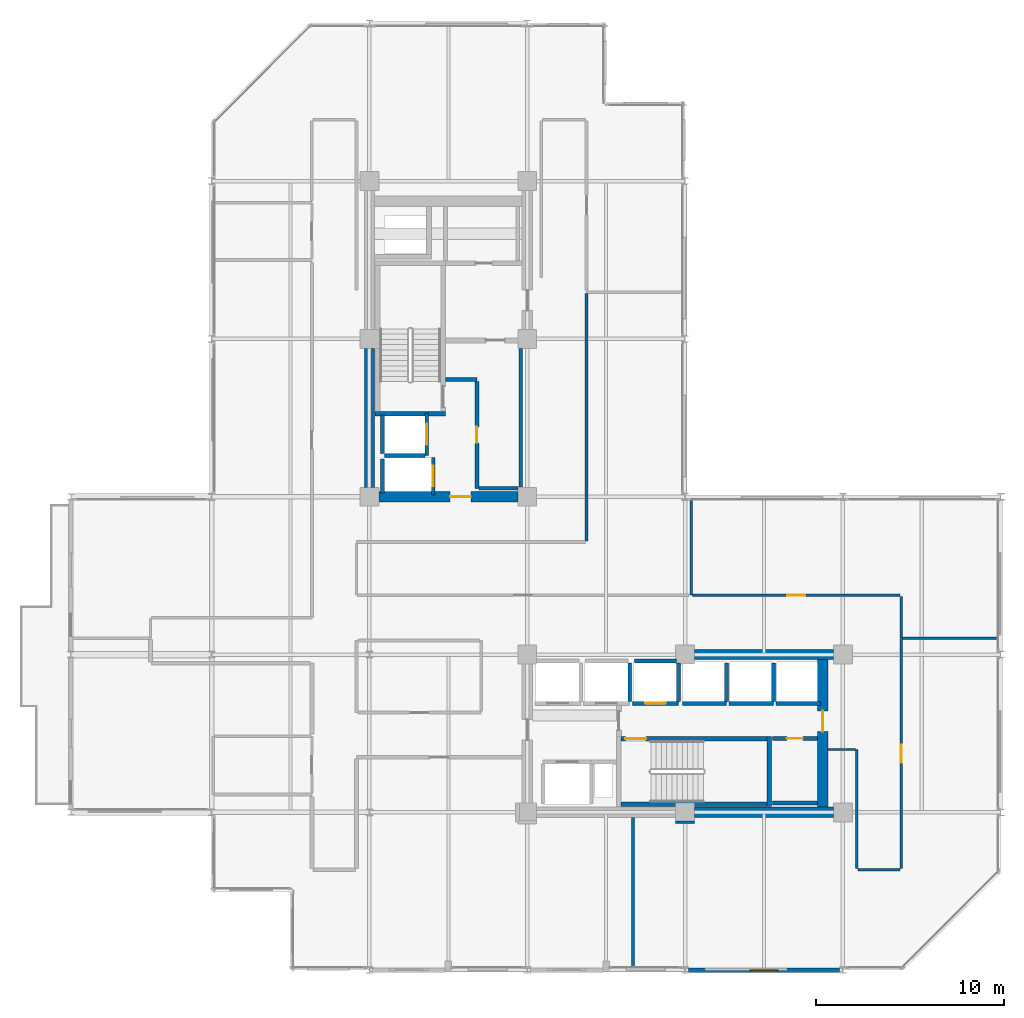
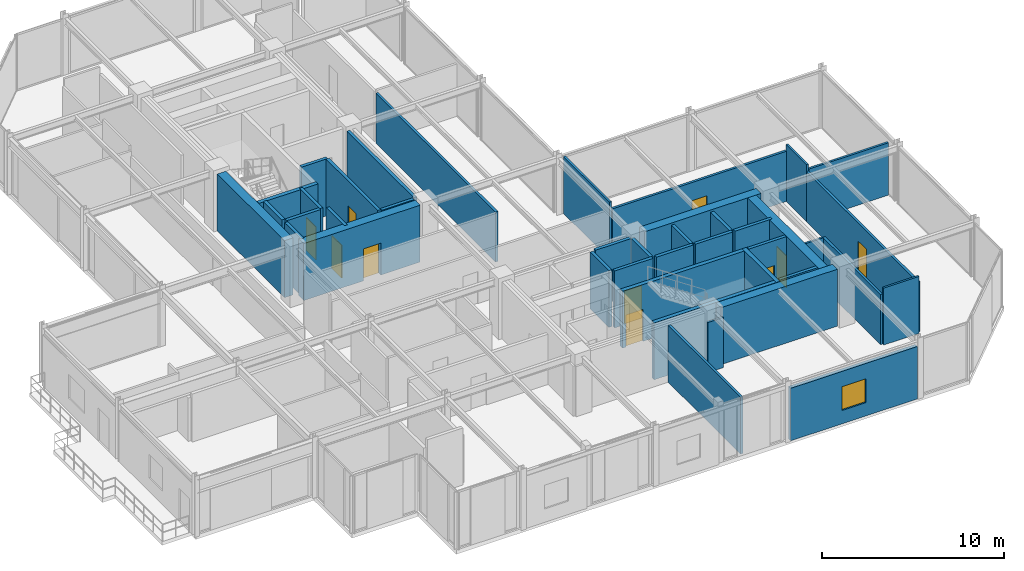
# One storey, part 25 of 29: 41 walls, 10 doors, 1 window, 11 openings.
"""IFC4 building model written with IfcOpenShell, lengths in metres."""

import ifcopenshell
import ifcopenshell.guid

model = None  # the IFC model being written
_history = None  # IfcOwnerHistory: only IFC2X3 demands one
_inside = {}  # id of a spatial element -> (the spatial element, [elements in it])
_under = {}  # id of a project, library or spatial element -> (it, [spatial elements below it])
_declared = {}  # id of a project -> (the project, [libraries it declares])
_typed = {}  # id of a type object -> (the type object, [elements of that type])
_made_of = {}  # id of a material, layer set ... -> (it, [elements and type objects made of it])


def new_model(schema):
    """Start an empty IFC model of exactly this schema.

    Asked for "IFC4X3", IfcOpenShell would pick the latest addendum, in which some entities
    have other attributes; the version numbers below select the first issue.
    IFC2X3 requires an IfcOwnerHistory on every rooted entity: one is made here for all.
    """
    global model, _history
    if schema == "IFC4X3":
        model = ifcopenshell.file(schema_version=(4, 3, 0, 0))
    else:
        model = ifcopenshell.file(schema=schema)
    _inside.clear()
    _under.clear()
    _declared.clear()
    _typed.clear()
    _made_of.clear()
    _history = None
    if model.schema == "IFC2X3":
        org = make("IfcOrganization", Name="unknown")
        user = make(
            "IfcPersonAndOrganization",
            ThePerson=make("IfcPerson", FamilyName="unknown"),
            TheOrganization=org,
        )
        app = make(
            "IfcApplication",
            ApplicationDeveloper=org,
            Version="unknown",
            ApplicationFullName="unknown",
            ApplicationIdentifier="unknown",
        )
        _history = make(
            "IfcOwnerHistory",
            OwningUser=user,
            OwningApplication=app,
            ChangeAction="ADDED",
            CreationDate=0,
        )
    return model


def make(cls, **values):
    """One entity of the class cls with the attributes given. An attribute that is None is left unset."""
    return model.create_entity(
        cls, **{name: value for name, value in values.items() if value is not None}
    )


def rooted(cls, **values):
    """An entity with a GlobalId (a new one), such as an element, a storey or a relation."""
    return make(cls, GlobalId=ifcopenshell.guid.new(), OwnerHistory=_history, **values)


def si_unit(unit_type, name, prefix=None):
    """IfcSIUnit, for example si_unit("LENGTHUNIT", "METRE", prefix="MILLI")."""
    return make("IfcSIUnit", UnitType=unit_type, Prefix=prefix, Name=name)


def assignment(units):
    """IfcUnitAssignment: the units of a project."""
    return None if units is None else make("IfcUnitAssignment", Units=units)


def point(xyz):
    """IfcCartesianPoint."""
    return None if xyz is None else make("IfcCartesianPoint", Coordinates=xyz)


def direction(xyz):
    """IfcDirection."""
    return None if xyz is None else make("IfcDirection", DirectionRatios=xyz)


def frame(location, z_axis=None, x_axis=None):
    """IfcAxis2Placement3D, a coordinate frame: its origin and axes. An axis left out is left unset."""
    return make(
        "IfcAxis2Placement3D",
        Location=point(location),
        Axis=direction(z_axis),
        RefDirection=direction(x_axis),
    )


def frame_2d(location, x_axis=None):
    """IfcAxis2Placement2D, a coordinate frame in the plane: its origin and x axis."""
    return make(
        "IfcAxis2Placement2D", Location=point(location), RefDirection=direction(x_axis)
    )


def origin():
    """The frame at (0, 0, 0) with its axes left unset."""
    return frame((0.0, 0.0, 0.0))


def place(relative_to, where):
    """IfcLocalPlacement: puts the frame where relative to a parent placement (None: the world)."""
    return make(
        "IfcLocalPlacement", PlacementRelTo=relative_to, RelativePlacement=where
    )


def context(
    kind, dimensions, precision=None, world=None, true_north=None, identifier=None
):
    """IfcGeometricRepresentationContext, for example the 3D "Model" context."""
    return make(
        "IfcGeometricRepresentationContext",
        ContextIdentifier=identifier,
        ContextType=kind,
        CoordinateSpaceDimension=dimensions,
        Precision=precision,
        WorldCoordinateSystem=world,
        TrueNorth=true_north,
    )


def subcontext(parent, identifier, kind, view, scale=None):
    """IfcGeometricRepresentationSubContext, for example "Body" below "Model"."""
    return make(
        "IfcGeometricRepresentationSubContext",
        ContextIdentifier=identifier,
        ContextType=kind,
        ParentContext=parent,
        TargetScale=scale,
        TargetView=view,
    )


def project(units=None, contexts=None):
    """IfcProject with its units and contexts."""
    return rooted(
        "IfcProject",
        Name="project",
        RepresentationContexts=contexts,
        UnitsInContext=assignment(units),
    )


def spatial(cls, under=None, at=None, **own):
    """A site, building, storey or space (cls), placed at a placement, below another one or the project."""
    s = rooted(cls, ObjectPlacement=at, **own)
    if under is not None:
        _under.setdefault(under.id(), (under, []))[1].append(s)
    return s


def profile(cls, at=None, kind="AREA", **sizes):
    """A parametric profile (cls). Its sizes go by their IFC names, for example OverallWidth=200.0."""
    return make(cls, ProfileType=kind, Position=at, **sizes)


def rectangle(**sizes):
    """IfcRectangleProfileDef."""
    return profile("IfcRectangleProfileDef", **sizes)


def extrude(swept, where, along, depth):
    """IfcExtrudedAreaSolid: the profile swept, set in the frame where, extruded along a direction by depth."""
    return make(
        "IfcExtrudedAreaSolid",
        SweptArea=swept,
        Position=where,
        ExtrudedDirection=direction(along),
        Depth=depth,
    )


def shape(context_of_items, identifier, shape_type, items):
    """IfcShapeRepresentation: the items that make up one representation, for example the "Body"."""
    return make(
        "IfcShapeRepresentation",
        ContextOfItems=context_of_items,
        RepresentationIdentifier=identifier,
        RepresentationType=shape_type,
        Items=items,
    )


def material(Name=None, Category=None):
    """IfcMaterial."""
    return make("IfcMaterial", Name=Name, Category=Category)


def layer(
    of_material, thickness, ventilated=None, Name=None, Category=None, Priority=None
):
    """IfcMaterialLayer: one layer of a wall or slab, of a material (None: an air gap)."""
    return make(
        "IfcMaterialLayer",
        Material=of_material,
        LayerThickness=thickness,
        IsVentilated=ventilated,
        Name=Name,
        Category=Category,
        Priority=Priority,
    )


def layer_set(layers, Name=None):
    """IfcMaterialLayerSet."""
    return make("IfcMaterialLayerSet", MaterialLayers=layers, LayerSetName=Name)


def made_of(thing, what):
    """Note that an element or type object is made of a material, layer set ...; save() writes the relation."""
    if what is not None:
        _made_of.setdefault(what.id(), (what, []))[1].append(thing)
    return thing


def type_object(cls, material=None, **own):
    """A type object (cls), such as IfcWallType, which elements share."""
    return made_of(rooted(cls, **own), material)


def element(
    cls,
    number,
    at=None,
    inside=None,
    cuts=None,
    type_object=None,
    material=None,
    context=None,
    identifier="Body",
    shape_type=None,
    held_by="IfcProductDefinitionShape",
    body=None,
    shapes=None,
    **own,
):
    """One element of the class cls, such as IfcWall. Its Tag is "e" and its number.

    at: its placement. inside: the storey or other place that contains it. cuts: it is an
    opening in that element (IfcRelVoidsElement). A single representation is given by context,
    identifier, shape_type and body (its items); several are given by shapes. held_by: the class
    of the entity that holds the representations. save() writes the other relations.
    """
    e = rooted(cls, Tag="e%d" % number, ObjectPlacement=at, **own)
    if body is not None:
        shapes = [shape(context, identifier, shape_type, body)]
    if shapes is not None:
        e.Representation = make(held_by, Representations=shapes)
    if inside is not None:
        _inside.setdefault(inside.id(), (inside, []))[1].append(e)
    if cuts is not None:
        rooted(
            "IfcRelVoidsElement", RelatingBuildingElement=cuts, RelatedOpeningElement=e
        )
    if type_object is not None:
        _typed.setdefault(type_object.id(), (type_object, []))[1].append(e)
    return made_of(e, material)


def fill(opening, filler):
    """IfcRelFillsElement: the door or window that sits in an opening."""
    return rooted(
        "IfcRelFillsElement",
        RelatingOpeningElement=opening,
        RelatedBuildingElement=filler,
    )


def aggregate(whole, parts):
    """IfcRelAggregates: a whole, such as a stair, and the parts it consists of."""
    return rooted("IfcRelAggregates", RelatingObject=whole, RelatedObjects=parts)


def save(model, path):
    """Write the relations noted so far, then the file.

    IfcRelAggregates (storeys below a building ...), IfcRelContainedInSpatialStructure (elements
    in a storey), IfcRelDefinesByType, IfcRelAssociatesMaterial and IfcRelDeclares: one each for
    every whole, place, type object, material and project.
    """
    for whole, parts in _under.values():
        aggregate(whole, parts)
    for where, things in _inside.values():
        rooted(
            "IfcRelContainedInSpatialStructure",
            RelatedElements=things,
            RelatingStructure=where,
        )
    for kind, things in _typed.values():
        rooted("IfcRelDefinesByType", RelatedObjects=things, RelatingType=kind)
    for what, things in _made_of.values():
        rooted("IfcRelAssociatesMaterial", RelatedObjects=things, RelatingMaterial=what)
    for by, libraries in _declared.values():
        rooted("IfcRelDeclares", RelatingContext=by, RelatedDefinitions=libraries)
    model.write(path)


model = new_model("IFC4")

# Units and contexts
model_context = context("Model", 3, precision=1e-05, world=origin(), true_north=direction((0.0, 1.0)))
body_context = subcontext(model_context, "Body", "Model", "MODEL_VIEW")
ifc_project = project(units=[si_unit("LENGTHUNIT", "METRE"), si_unit("AREAUNIT", "SQUARE_METRE"), si_unit("VOLUMEUNIT", "CUBIC_METRE"), si_unit("PLANEANGLEUNIT", "RADIAN"), si_unit("MASSUNIT", "GRAM", prefix="KILO")], contexts=[model_context])

# Site, building, storey
site_placement = place(None, origin())
site = spatial("IfcSite", under=ifc_project, at=site_placement, CompositionType="ELEMENT")
building_placement = place(site_placement, origin())
building = spatial("IfcBuilding", under=site, at=building_placement, Name="Nerrivon Quay Data Exchange", CompositionType="ELEMENT")
storey_placement = place(building_placement, frame((0.0, 0.0, 196.0)))
storey = spatial("IfcBuildingStorey", under=building, at=storey_placement, Name="L46", CompositionType="ELEMENT", Elevation=196.0)

# Wall, opening, window
ifc_material_1 = material(Name="Architectural terracotta precast concrete N50 (50 MPa)", Category="masonry")
ifc_layer_1 = layer(ifc_material_1, 0.239990234375)
ifc_layer_set_1 = layer_set([ifc_layer_1], Name="Architectural terracotta precast concrete N50 (50 MPa)")
wall_type_1 = type_object("IfcWallType", Name="EW-PREC-240", PredefinedType="STANDARD", material=ifc_layer_set_1)
wall_1_placement = place(storey_placement, frame((33.425048828125, 0.0, 0.0), z_axis=(0.0, 0.0, 1.0), x_axis=(-1.0, 0.0, 0.0)))
wall_1 = element("IfcWall", 1, at=wall_1_placement, inside=storey, type_object=wall_type_1, Name="L46 Podium Precast Spandrel Wall 23", PredefinedType="STANDARD", context=body_context, shape_type="SweptSolid", body=[
    extrude(rectangle(XDim=8.050048828125, YDim=0.239990234375, at=frame_2d((4.02490234375, 0.0))), origin(), (0.0, 0.0, 1.0), 3.52490234375),
])
opening_1_placement = place(wall_1_placement, frame((3.27490234375, 0.0, 0.89990234375)))
opening_1 = element("IfcOpeningElement", 2, at=opening_1_placement, cuts=wall_1, Name="Opening WN4", PredefinedType="OPENING", context=body_context, shape_type="SweptSolid", body=[
    extrude(rectangle(XDim=1.5, YDim=1.60009765625, at=frame_2d((0.75, 0.800048828125))), frame((0.0, 0.1298828125, 0.0), z_axis=(0.0, -1.0, 0.0), x_axis=(1.0, 0.0, 0.0)), (0.0, 0.0, 1.0), 0.260009765625),
])
ifc_material_2 = material(Name="Double-glazed low-E solar control glass", Category="glass")
window_type = type_object("IfcWindowType", Name="WIN-W4-1500x1600", PartitioningType="SINGLE_PANEL", PredefinedType="WINDOW", material=ifc_material_2)
window_placement = place(opening_1_placement, origin())
window = element("IfcWindow", 3, at=window_placement, inside=storey, type_object=window_type, Name="L46 Solar Facade Window 23", OverallHeight=1.60009765625, OverallWidth=1.5, PartitioningType="SINGLE_PANEL", PredefinedType="WINDOW", context=body_context, shape_type="SweptSolid", body=[
    extrude(rectangle(XDim=1.5, YDim=1.60009765625, at=frame_2d((0.75, 0.800048828125))), frame((0.0, 0.030029296875, 0.0), z_axis=(0.0, -1.0, 0.0), x_axis=(1.0, 0.0, 0.0)), (0.0, 0.0, 1.0), 0.06005859375),
])
fill(opening_1, window)

# Wall
ifc_material_3 = material(Name="Concrete S65 (65 MPa)", Category="concrete")
ifc_layer_2 = layer(ifc_material_3, 0.550048828125)
ifc_layer_set_2 = layer_set([ifc_layer_2], Name="Concrete S65 (65 MPa)")
wall_type_2 = type_object("IfcWallType", Name="WALL-CW-700", PredefinedType="SHEAR", material=ifc_layer_set_2)
wall_2_placement = place(storey_placement, frame((8.39990234375, 25.699951171875, 0.0), z_axis=(0.0, 0.0, 1.0), x_axis=(0.0, 1.0, 0.0)))
element("IfcWall", 4, at=wall_2_placement, inside=storey, type_object=wall_type_2, Name="L46 West Split-Core Shear Wall WCW-W1", PredefinedType="SHEAR", context=body_context, shape_type="SweptSolid", body=[
    extrude(rectangle(XDim=7.400146484375, YDim=0.550048828125, at=frame_2d((3.7001953125, 0.0))), origin(), (0.0, 0.0, 1.0), 3.824951171875),
])

# Wall, opening, door
wall_3_placement = place(storey_placement, frame((8.89990234375, 25.199951171875, 0.0), z_axis=(0.0, 0.0, 1.0), x_axis=(1.0, 0.0, 0.0)))
wall_3 = element("IfcWall", 5, at=wall_3_placement, inside=storey, type_object=wall_type_2, Name="L46 West Split-Core Shear Wall WCW-S1", PredefinedType="SHEAR", context=body_context, shape_type="SweptSolid", body=[
    extrude(rectangle(XDim=7.400146484375, YDim=0.550048828125, at=frame_2d((3.7001953125, 0.0))), origin(), (0.0, 0.0, 1.0), 3.824951171875),
])
opening_2_placement = place(wall_3_placement, frame((3.800048828125, 0.0, 0.0)))
opening_2 = element("IfcOpeningElement", 6, at=opening_2_placement, cuts=wall_3, Name="Opening FD-120", PredefinedType="OPENING", context=body_context, shape_type="SweptSolid", body=[
    extrude(rectangle(XDim=1.10009765625, YDim=2.14990234375, at=frame_2d((0.550048828125, 1.074951171875))), frame((0.0, 0.284912109375, 0.0), z_axis=(0.0, -1.0, 0.0), x_axis=(1.0, 0.0, 0.0)), (0.0, 0.0, 1.0), 0.570068359375),
])
ifc_material_4 = material(Name="Powder-coated galvanized steel sheet", Category="steel")
door_type_1 = type_object("IfcDoorType", Name="DR-FD120-1100", OperationType="NOTDEFINED", PredefinedType="DOOR", material=ifc_material_4)
door_1_placement = place(opening_2_placement, origin())
door_1 = element("IfcDoor", 7, at=door_1_placement, inside=storey, type_object=door_type_1, Name="L46 West Core Lobby Fire Door", OperationType="SINGLE_SWING_RIGHT", OverallHeight=2.14990234375, OverallWidth=1.10009765625, PredefinedType="DOOR", context=body_context, shape_type="SweptSolid", body=[
    extrude(rectangle(XDim=1.10009765625, YDim=2.14990234375, at=frame_2d((0.550048828125, 1.074951171875))), frame((0.0, 0.02490234375, 0.0), z_axis=(0.0, -1.0, 0.0), x_axis=(1.0, 0.0, 0.0)), (0.0, 0.0, 1.0), 0.050048828125),
])
fill(opening_2, door_1)

# Wall
wall_4_placement = place(storey_placement, frame((25.699951171875, 8.39990234375, 0.0), z_axis=(0.0, 0.0, 1.0), x_axis=(1.0, 0.0, 0.0)))
element("IfcWall", 8, at=wall_4_placement, inside=storey, type_object=wall_type_2, Name="L46 East Split-Core Shear Wall ECW-S2", PredefinedType="SHEAR", context=body_context, shape_type="SweptSolid", body=[
    extrude(rectangle(XDim=7.400146484375, YDim=0.550048828125, at=frame_2d((3.7001953125, 0.0))), origin(), (0.0, 0.0, 1.0), 3.824951171875),
])

# Wall, opening, door
wall_5_placement = place(storey_placement, frame((32.52490234375, 8.675048828125, 0.0), z_axis=(0.0, 0.0, 1.0), x_axis=(0.0, 1.0, 0.0)))
wall_5 = element("IfcWall", 9, at=wall_5_placement, inside=storey, type_object=wall_type_2, Name="L46 East Split-Core Shear Wall ECW-E1", PredefinedType="SHEAR", context=body_context, shape_type="SweptSolid", body=[
    extrude(rectangle(XDim=7.849853515625, YDim=0.550048828125, at=frame_2d((3.9248046875, 0.0))), origin(), (0.0, 0.0, 1.0), 3.824951171875),
])
opening_3_placement = place(wall_5_placement, frame((4.02490234375, 0.0, 0.0)))
opening_3 = element("IfcOpeningElement", 10, at=opening_3_placement, cuts=wall_5, Name="Opening FD-120", PredefinedType="OPENING", context=body_context, shape_type="SweptSolid", body=[
    extrude(rectangle(XDim=1.10009765625, YDim=2.14990234375, at=frame_2d((0.550048828125, 1.074951171875))), frame((0.0, 0.284912109375, 0.0), z_axis=(0.0, -1.0, 0.0), x_axis=(1.0, 0.0, 0.0)), (0.0, 0.0, 1.0), 0.570068359375),
])
door_2_placement = place(opening_3_placement, origin())
door_2 = element("IfcDoor", 11, at=door_2_placement, inside=storey, type_object=door_type_1, Name="L46 East Core Lobby Fire Door", OperationType="SINGLE_SWING_LEFT", OverallHeight=2.14990234375, OverallWidth=1.10009765625, PredefinedType="DOOR", context=body_context, shape_type="SweptSolid", body=[
    extrude(rectangle(XDim=1.10009765625, YDim=2.14990234375, at=frame_2d((0.550048828125, 1.074951171875))), frame((0.0, 0.02490234375, 0.0), z_axis=(0.0, -1.0, 0.0), x_axis=(1.0, 0.0, 0.0)), (0.0, 0.0, 1.0), 0.050048828125),
])
fill(opening_3, door_2)

# Wall
wall_6_placement = place(storey_placement, frame((25.699951171875, 16.800048828125, 0.0), z_axis=(0.0, 0.0, 1.0), x_axis=(1.0, 0.0, 0.0)))
element("IfcWall", 12, at=wall_6_placement, inside=storey, type_object=wall_type_2, Name="L46 East Split-Core Shear Wall ECW-N1", PredefinedType="SHEAR", context=body_context, shape_type="SweptSolid", body=[
    extrude(rectangle(XDim=7.400146484375, YDim=0.550048828125, at=frame_2d((3.7001953125, 0.0))), origin(), (0.0, 0.0, 1.0), 3.824951171875),
])

# Wall, opening, door
ifc_material_5 = material(Name="Gypsum plasterboard on cold-formed framing", Category="gypsum")
ifc_layer_3 = layer(ifc_material_5, 0.199951171875)
ifc_layer_set_3 = layer_set([ifc_layer_3], Name="Gypsum plasterboard on cold-formed framing")
wall_type_3 = type_object("IfcWallType", Name="WALL-FW-200", PredefinedType="PARTITIONING", material=ifc_layer_set_3)
wall_7_placement = place(storey_placement, frame((11.449951171875, 27.39990234375, 0.0), z_axis=(0.0, 0.0, 1.0), x_axis=(0.0, 1.0, 0.0)))
wall_7 = element("IfcWall", 13, at=wall_7_placement, inside=storey, type_object=wall_type_3, Name="L46 Lift Front Wall FFL-1", PredefinedType="PARTITIONING", context=body_context, shape_type="SweptSolid", body=[
    extrude(rectangle(XDim=2.25, YDim=0.199951171875, at=frame_2d((1.125, 0.0))), origin(), (0.0, 0.0, 1.0), 3.824951171875),
])
opening_4_placement = place(wall_7_placement, frame((0.574951171875, 0.0, 0.0)))
opening_4 = element("IfcOpeningElement", 14, at=opening_4_placement, cuts=wall_7, Name="Opening LD-120", PredefinedType="OPENING", context=body_context, shape_type="SweptSolid", body=[
    extrude(rectangle(XDim=1.10009765625, YDim=2.199951171875, at=frame_2d((0.550048828125, 1.10009765625))), frame((0.0, 0.10986328125, 0.0), z_axis=(0.0, -1.0, 0.0), x_axis=(1.0, 0.0, 0.0)), (0.0, 0.0, 1.0), 0.219970703125),
])
door_type_2 = type_object("IfcDoorType", Name="DR-LIFT-LD120", OperationType="DOUBLE_DOOR_SLIDING", PredefinedType="DOOR", material=ifc_material_4)
door_3_placement = place(opening_4_placement, origin())
door_3 = element("IfcDoor", 15, at=door_3_placement, inside=storey, type_object=door_type_2, Name="L46 Lift Landing Sliding Door FFL-1", OperationType="DOUBLE_DOOR_SLIDING", OverallHeight=2.199951171875, OverallWidth=1.10009765625, PredefinedType="DOOR", context=body_context, shape_type="SweptSolid", body=[
    extrude(rectangle(XDim=1.10009765625, YDim=2.199951171875, at=frame_2d((0.550048828125, 1.10009765625))), frame((0.0, 0.02490234375, 0.0), z_axis=(0.0, -1.0, 0.0), x_axis=(1.0, 0.0, 0.0)), (0.0, 0.0, 1.0), 0.050048828125),
])
fill(opening_4, door_3)

# Walls
wall_8_placement = place(storey_placement, frame((9.10009765625, 27.5, 0.0), z_axis=(0.0, 0.0, 1.0), x_axis=(0.0, 1.0, 0.0)))
element("IfcWall", 16, at=wall_8_placement, inside=storey, type_object=wall_type_3, Name="L46 Lift Shaft Wall FFL-1 WEST", PredefinedType="PARTITIONING", context=body_context, shape_type="SweptSolid", body=[
    extrude(rectangle(XDim=2.050048828125, YDim=0.199951171875, at=frame_2d((1.02490234375, 0.0))), origin(), (0.0, 0.0, 1.0), 3.824951171875),
])
wall_9_placement = place(storey_placement, frame((9.199951171875, 27.39990234375, 0.0), z_axis=(0.0, 0.0, 1.0), x_axis=(1.0, 0.0, 0.0)))
element("IfcWall", 17, at=wall_9_placement, inside=storey, type_object=wall_type_3, Name="L46 Lift Shaft Wall FFL-1 SOUTH", PredefinedType="PARTITIONING", context=body_context, shape_type="SweptSolid", body=[
    extrude(rectangle(XDim=2.150146484375, YDim=0.199951171875, at=frame_2d((1.0751953125, 0.0))), origin(), (0.0, 0.0, 1.0), 3.824951171875),
])

# Wall, opening, door
wall_10_placement = place(storey_placement, frame((11.800048828125, 25.300048828125, 0.0), z_axis=(0.0, 0.0, 1.0), x_axis=(0.0, 1.0, 0.0)))
wall_10 = element("IfcWall", 18, at=wall_10_placement, inside=storey, type_object=wall_type_3, Name="L46 Lift Front Wall SVL-1", PredefinedType="PARTITIONING", context=body_context, shape_type="SweptSolid", body=[
    extrude(rectangle(XDim=2.0, YDim=0.199951171875, at=frame_2d((1.0, 0.0))), origin(), (0.0, 0.0, 1.0), 3.824951171875),
])
opening_5_placement = place(wall_10_placement, frame((0.449951171875, 0.0, 0.0)))
opening_5 = element("IfcOpeningElement", 19, at=opening_5_placement, cuts=wall_10, Name="Opening LD-120", PredefinedType="OPENING", context=body_context, shape_type="SweptSolid", body=[
    extrude(rectangle(XDim=1.10009765625, YDim=2.199951171875, at=frame_2d((0.550048828125, 1.10009765625))), frame((0.0, 0.10986328125, 0.0), z_axis=(0.0, -1.0, 0.0), x_axis=(1.0, 0.0, 0.0)), (0.0, 0.0, 1.0), 0.219970703125),
])
door_4_placement = place(opening_5_placement, origin())
door_4 = element("IfcDoor", 20, at=door_4_placement, inside=storey, type_object=door_type_2, Name="L46 Lift Landing Sliding Door SVL-1", OperationType="DOUBLE_DOOR_SLIDING", OverallHeight=2.199951171875, OverallWidth=1.10009765625, PredefinedType="DOOR", context=body_context, shape_type="SweptSolid", body=[
    extrude(rectangle(XDim=1.10009765625, YDim=2.199951171875, at=frame_2d((0.550048828125, 1.10009765625))), frame((0.0, 0.02490234375, 0.0), z_axis=(0.0, -1.0, 0.0), x_axis=(1.0, 0.0, 0.0)), (0.0, 0.0, 1.0), 0.050048828125),
])
fill(opening_5, door_4)

# Walls
wall_11_placement = place(storey_placement, frame((9.10009765625, 25.39990234375, 0.0), z_axis=(0.0, 0.0, 1.0), x_axis=(0.0, 1.0, 0.0)))
element("IfcWall", 21, at=wall_11_placement, inside=storey, type_object=wall_type_3, Name="L46 Lift Shaft Wall SVL-1 WEST", PredefinedType="PARTITIONING", context=body_context, shape_type="SweptSolid", body=[
    extrude(rectangle(XDim=1.800048828125, YDim=0.199951171875, at=frame_2d((0.89990234375, 0.0))), origin(), (0.0, 0.0, 1.0), 3.824951171875),
])
wall_12_placement = place(storey_placement, frame((22.25, 14.300048828125, 0.0), z_axis=(0.0, 0.0, 1.0), x_axis=(0.0, 1.0, 0.0)))
element("IfcWall", 22, at=wall_12_placement, inside=storey, type_object=wall_type_3, Name="L46 Lift Shaft Wall PL5 EAST", PredefinedType="PARTITIONING", context=body_context, shape_type="SweptSolid", body=[
    extrude(rectangle(XDim=2.050048828125, YDim=0.199951171875, at=frame_2d((1.02490234375, 0.0))), origin(), (0.0, 0.0, 1.0), 3.824951171875),
])

# Wall, opening, door
wall_13_placement = place(storey_placement, frame((22.39990234375, 14.199951171875, 0.0), z_axis=(0.0, 0.0, 1.0), x_axis=(1.0, 0.0, 0.0)))
wall_13 = element("IfcWall", 23, at=wall_13_placement, inside=storey, type_object=wall_type_3, Name="L46 Lift Front Wall PL6", PredefinedType="PARTITIONING", context=body_context, shape_type="SweptSolid", body=[
    extrude(rectangle(XDim=2.4501953125, YDim=0.199951171875, at=frame_2d((1.22509765625, 0.0))), origin(), (0.0, 0.0, 1.0), 3.824951171875),
])
opening_6_placement = place(wall_13_placement, frame((0.675048828125, 0.0, 0.0)))
opening_6 = element("IfcOpeningElement", 24, at=opening_6_placement, cuts=wall_13, Name="Opening LD-120", PredefinedType="OPENING", context=body_context, shape_type="SweptSolid", body=[
    extrude(rectangle(XDim=1.10009765625, YDim=2.199951171875, at=frame_2d((0.550048828125, 1.10009765625))), frame((0.0, 0.10986328125, 0.0), z_axis=(0.0, -1.0, 0.0), x_axis=(1.0, 0.0, 0.0)), (0.0, 0.0, 1.0), 0.219970703125),
])
door_5_placement = place(opening_6_placement, origin())
door_5 = element("IfcDoor", 25, at=door_5_placement, inside=storey, type_object=door_type_2, Name="L46 Lift Landing Sliding Door PL6", OperationType="DOUBLE_DOOR_SLIDING", OverallHeight=2.199951171875, OverallWidth=1.10009765625, PredefinedType="DOOR", context=body_context, shape_type="SweptSolid", body=[
    extrude(rectangle(XDim=1.10009765625, YDim=2.199951171875, at=frame_2d((0.550048828125, 1.10009765625))), frame((0.0, 0.02490234375, 0.0), z_axis=(0.0, -1.0, 0.0), x_axis=(1.0, 0.0, 0.0)), (0.0, 0.0, 1.0), 0.050048828125),
])
fill(opening_6, door_5)

# Walls
wall_14_placement = place(storey_placement, frame((24.85009765625, 14.300048828125, 0.0), z_axis=(0.0, 0.0, 1.0), x_axis=(0.0, 1.0, 0.0)))
element("IfcWall", 26, at=wall_14_placement, inside=storey, type_object=wall_type_3, Name="L46 Lift Shaft Wall PL6 EAST", PredefinedType="PARTITIONING", context=body_context, shape_type="SweptSolid", body=[
    extrude(rectangle(XDim=2.050048828125, YDim=0.199951171875, at=frame_2d((1.02490234375, 0.0))), origin(), (0.0, 0.0, 1.0), 3.824951171875),
])
wall_15_placement = place(storey_placement, frame((22.5, 16.449951171875, 0.0), z_axis=(0.0, 0.0, 1.0), x_axis=(1.0, 0.0, 0.0)))
element("IfcWall", 27, at=wall_15_placement, inside=storey, type_object=wall_type_3, Name="L46 Lift Shaft Wall PL6 NORTH", PredefinedType="PARTITIONING", context=body_context, shape_type="SweptSolid", body=[
    extrude(rectangle(XDim=2.25, YDim=0.199951171875, at=frame_2d((1.125, 0.0))), origin(), (0.0, 0.0, 1.0), 3.824951171875),
])
wall_16_placement = place(storey_placement, frame((25.050048828125, 14.199951171875, 0.0), z_axis=(0.0, 0.0, 1.0), x_axis=(1.0, 0.0, 0.0)))
element("IfcWall", 28, at=wall_16_placement, inside=storey, type_object=wall_type_3, Name="L46 Lift Front Wall PL7", PredefinedType="PARTITIONING", context=body_context, shape_type="SweptSolid", body=[
    extrude(rectangle(XDim=2.349853515625, YDim=0.199951171875, at=frame_2d((1.1748046875, 0.0))), origin(), (0.0, 0.0, 1.0), 3.824951171875),
])
wall_17_placement = place(storey_placement, frame((27.39990234375, 14.300048828125, 0.0), z_axis=(0.0, 0.0, 1.0), x_axis=(0.0, 1.0, 0.0)))
element("IfcWall", 29, at=wall_17_placement, inside=storey, type_object=wall_type_3, Name="L46 Lift Shaft Wall PL7 EAST", PredefinedType="PARTITIONING", context=body_context, shape_type="SweptSolid", body=[
    extrude(rectangle(XDim=2.050048828125, YDim=0.199951171875, at=frame_2d((1.02490234375, 0.0))), origin(), (0.0, 0.0, 1.0), 3.824951171875),
])
wall_18_placement = place(storey_placement, frame((27.550048828125, 14.199951171875, 0.0), z_axis=(0.0, 0.0, 1.0), x_axis=(1.0, 0.0, 0.0)))
element("IfcWall", 30, at=wall_18_placement, inside=storey, type_object=wall_type_3, Name="L46 Lift Front Wall PL8", PredefinedType="PARTITIONING", context=body_context, shape_type="SweptSolid", body=[
    extrude(rectangle(XDim=2.349853515625, YDim=0.199951171875, at=frame_2d((1.1748046875, 0.0))), origin(), (0.0, 0.0, 1.0), 3.824951171875),
])
wall_19_placement = place(storey_placement, frame((29.89990234375, 14.300048828125, 0.0), z_axis=(0.0, 0.0, 1.0), x_axis=(0.0, 1.0, 0.0)))
element("IfcWall", 31, at=wall_19_placement, inside=storey, type_object=wall_type_3, Name="L46 Lift Shaft Wall PL8 EAST", PredefinedType="PARTITIONING", context=body_context, shape_type="SweptSolid", body=[
    extrude(rectangle(XDim=2.050048828125, YDim=0.199951171875, at=frame_2d((1.02490234375, 0.0))), origin(), (0.0, 0.0, 1.0), 3.824951171875),
])
wall_20_placement = place(storey_placement, frame((30.050048828125, 14.199951171875, 0.0), z_axis=(0.0, 0.0, 1.0), x_axis=(1.0, 0.0, 0.0)))
element("IfcWall", 32, at=wall_20_placement, inside=storey, type_object=wall_type_3, Name="L46 Lift Front Wall PL9", PredefinedType="PARTITIONING", context=body_context, shape_type="SweptSolid", body=[
    extrude(rectangle(XDim=2.349853515625, YDim=0.199951171875, at=frame_2d((1.1748046875, 0.0))), origin(), (0.0, 0.0, 1.0), 3.824951171875),
])
wall_21_placement = place(storey_placement, frame((16.449951171875, 25.705078125, 0.0), z_axis=(0.0, 0.0, 1.0), x_axis=(0.0, 1.0, 0.0)))
element("IfcWall", 33, at=wall_21_placement, inside=storey, type_object=wall_type_3, Name="L46 Partition Telemetry Hub Closet", PredefinedType="PARTITIONING", context=body_context, shape_type="SweptSolid", body=[
    extrude(rectangle(XDim=7.389892578125, YDim=0.199951171875, at=frame_2d((3.69482421875, 0.0))), origin(), (0.0, 0.0, 1.0), 3.824951171875),
])
wall_22_placement = place(storey_placement, frame((12.4541015625, 31.43994140625, 0.0), z_axis=(0.0, 0.0, 1.0), x_axis=(1.0, 0.0, 0.0)))
element("IfcWall", 34, at=wall_22_placement, inside=storey, type_object=wall_type_3, Name="L46 Partition Telemetry Hub Closet", PredefinedType="PARTITIONING", context=body_context, shape_type="SweptSolid", body=[
    extrude(rectangle(XDim=1.666015625, YDim=0.199951171875, at=frame_2d((0.8330078125, 0.0))), origin(), (0.0, 0.0, 1.0), 3.824951171875),
])

# Wall, opening, door
wall_23_placement = place(storey_placement, frame((14.1201171875, 31.3359375, 0.0), z_axis=(0.0, 0.0, 1.0), x_axis=(0.0, -1.0, 0.0)))
wall_23 = element("IfcWall", 35, at=wall_23_placement, inside=storey, type_object=wall_type_3, Name="L46 Partition Telemetry Hub Closet", PredefinedType="PARTITIONING", context=body_context, shape_type="SweptSolid", body=[
    extrude(rectangle(XDim=5.68603515625, YDim=0.199951171875, at=frame_2d((2.843017578125, 0.0))), origin(), (0.0, 0.0, 1.0), 3.824951171875),
])
opening_7_placement = place(wall_23_placement, frame((2.41796875, 0.0, 0.0)))
opening_7 = element("IfcOpeningElement", 36, at=opening_7_placement, cuts=wall_23, Name="Opening FD-60S", PredefinedType="OPENING", context=body_context, shape_type="SweptSolid", body=[
    extrude(rectangle(XDim=0.85009765625, YDim=2.14990234375, at=frame_2d((0.425048828125, 1.074951171875))), frame((0.0, 0.10986328125, 0.0), z_axis=(0.0, -1.0, 0.0), x_axis=(1.0, 0.0, 0.0)), (0.0, 0.0, 1.0), 0.219970703125),
])
ifc_material_6 = material(Name="Engineered hardwood timber", Category="wood")
door_type_3 = type_object("IfcDoorType", Name="DR-FD60-850", OperationType="NOTDEFINED", PredefinedType="DOOR", material=ifc_material_6)
door_6_placement = place(opening_7_placement, origin())
door_6 = element("IfcDoor", 37, at=door_6_placement, inside=storey, type_object=door_type_3, Name="L46 Door Telemetry Hub Closet", OperationType="SINGLE_SWING_LEFT", OverallHeight=2.14990234375, OverallWidth=0.85009765625, PredefinedType="DOOR", context=body_context, shape_type="SweptSolid", body=[
    extrude(rectangle(XDim=0.85009765625, YDim=2.14990234375, at=frame_2d((0.425048828125, 1.074951171875))), frame((0.0, 0.02490234375, 0.0), z_axis=(0.0, -1.0, 0.0), x_axis=(1.0, 0.0, 0.0)), (0.0, 0.0, 1.0), 0.050048828125),
])
fill(opening_7, door_6)

# Wall
wall_24_placement = place(storey_placement, frame((14.22412109375, 25.64990234375, 0.0), z_axis=(0.0, 0.0, 1.0), x_axis=(1.0, 0.0, 0.0)))
element("IfcWall", 38, at=wall_24_placement, inside=storey, type_object=wall_type_3, Name="L46 Partition Telemetry Hub Closet", PredefinedType="PARTITIONING", context=body_context, shape_type="SweptSolid", body=[
    extrude(rectangle(XDim=2.07080078125, YDim=0.199951171875, at=frame_2d((1.035400390625, 0.0))), origin(), (0.0, 0.0, 1.0), 3.824951171875),
])

# Wall, opening, door
wall_25_placement = place(storey_placement, frame((32.24609375, 12.330078125, 0.0), z_axis=(0.0, 0.0, 1.0), x_axis=(-1.0, 0.0, 0.0)))
wall_25 = element("IfcWall", 39, at=wall_25_placement, inside=storey, type_object=wall_type_3, Name="L46 Partition East Telecom Closet", PredefinedType="PARTITIONING", context=body_context, shape_type="SweptSolid", body=[
    extrude(rectangle(XDim=2.39599609375, YDim=0.199951171875, at=frame_2d((1.197998046875, 0.0))), origin(), (0.0, 0.0, 1.0), 3.824951171875),
])
opening_8_placement = place(wall_25_placement, frame((0.77294921875, 0.0, 0.0)))
opening_8 = element("IfcOpeningElement", 40, at=opening_8_placement, cuts=wall_25, Name="Opening FD-60S", PredefinedType="OPENING", context=body_context, shape_type="SweptSolid", body=[
    extrude(rectangle(XDim=0.85009765625, YDim=2.14990234375, at=frame_2d((0.425048828125, 1.074951171875))), frame((0.0, 0.10986328125, 0.0), z_axis=(0.0, -1.0, 0.0), x_axis=(1.0, 0.0, 0.0)), (0.0, 0.0, 1.0), 0.219970703125),
])
door_7_placement = place(opening_8_placement, origin())
door_7 = element("IfcDoor", 41, at=door_7_placement, inside=storey, type_object=door_type_3, Name="L46 Door East Telecom Closet", OperationType="SINGLE_SWING_LEFT", OverallHeight=2.14990234375, OverallWidth=0.85009765625, PredefinedType="DOOR", context=body_context, shape_type="SweptSolid", body=[
    extrude(rectangle(XDim=0.85009765625, YDim=2.14990234375, at=frame_2d((0.425048828125, 1.074951171875))), frame((0.0, 0.02490234375, 0.0), z_axis=(0.0, -1.0, 0.0), x_axis=(1.0, 0.0, 0.0)), (0.0, 0.0, 1.0), 0.050048828125),
])
fill(opening_8, door_7)

# Walls
wall_26_placement = place(storey_placement, frame((29.85009765625, 8.89990234375, 0.0), z_axis=(0.0, 0.0, 1.0), x_axis=(1.0, 0.0, 0.0)))
element("IfcWall", 42, at=wall_26_placement, inside=storey, type_object=wall_type_3, Name="L46 Partition East Telecom Closet", PredefinedType="PARTITIONING", context=body_context, shape_type="SweptSolid", body=[
    extrude(rectangle(XDim=2.39599609375, YDim=0.199951171875, at=frame_2d((1.197998046875, 0.0))), origin(), (0.0, 0.0, 1.0), 3.824951171875),
])
ifc_layer_4 = layer(ifc_material_5, 0.1201171875)
ifc_layer_set_4 = layer_set([ifc_layer_4], Name="Gypsum plasterboard on cold-formed framing")
wall_type_4 = type_object("IfcWallType", Name="WALL-PT-120", PredefinedType="PARTITIONING", material=ifc_layer_set_4)
wall_27_placement = place(storey_placement, frame((36.7099609375, 19.89990234375, 0.0), z_axis=(0.0, 0.0, 1.0), x_axis=(0.0, -1.0, 0.0)))
element("IfcWall", 43, at=wall_27_placement, inside=storey, type_object=wall_type_4, Name="L46 Partition Shared Breakout Kitchenette", PredefinedType="PARTITIONING", context=body_context, shape_type="SweptSolid", body=[
    extrude(rectangle(XDim=2.22998046875, YDim=0.1201171875, at=frame_2d((1.114990234375, 0.0))), origin(), (0.0, 0.0, 1.0), 3.824951171875),
])
wall_28_placement = place(storey_placement, frame((25.703857421875, 7.88037109375, 0.0), z_axis=(0.0, 0.0, 1.0), x_axis=(-0.999999881717, -0.000486381265, 0.0)))
element("IfcWall", 44, at=wall_28_placement, inside=storey, type_object=wall_type_4, Name="L46 Partition Client Conference Room 1", PredefinedType="PARTITIONING", context=body_context, shape_type="SweptSolid", body=[
    extrude(rectangle(XDim=1.00390625, YDim=0.1201171875, at=frame_2d((0.501953125, 0.0))), origin(), (0.0, 0.0, 1.0), 3.37109375),
])
wall_29_placement = place(storey_placement, frame((36.64990234375, 5.340087890625, 0.0), z_axis=(0.0, 0.0, 1.0), x_axis=(-1.0, 0.0, 0.0)))
element("IfcWall", 45, at=wall_29_placement, inside=storey, type_object=wall_type_4, Name="L46 Partition Client Conference Room 1", PredefinedType="PARTITIONING", context=body_context, shape_type="SweptSolid", body=[
    extrude(rectangle(XDim=2.25, YDim=0.1201171875, at=frame_2d((1.125, 0.0))), origin(), (0.0, 0.0, 1.0), 3.824951171875),
])
wall_30_placement = place(storey_placement, frame((34.260986328125, 11.739990234375, 0.0), z_axis=(0.0, 0.0, 1.0), x_axis=(-1.0, 0.0, 0.0)))
element("IfcWall", 46, at=wall_30_placement, inside=storey, type_object=wall_type_4, Name="L46 Partition Client Conference Room 1", PredefinedType="PARTITIONING", context=body_context, shape_type="SweptSolid", body=[
    extrude(rectangle(XDim=1.45703125, YDim=0.1201171875, at=frame_2d((0.728515625, 0.0))), origin(), (0.0, 0.0, 1.0), 3.37109375),
])
ifc_layer_5 = layer(ifc_material_5, 0.135009765625)
ifc_layer_set_5 = layer_set([ifc_layer_5], Name="Gypsum plasterboard on cold-formed framing")
wall_type_5 = type_object("IfcWallType", Name="WALL-PT-135", PredefinedType="PARTITIONING", material=ifc_layer_set_5)
wall_31_placement = place(storey_placement, frame((36.77392578125, 17.669921875, 0.0), z_axis=(0.0, 0.0, 1.0), x_axis=(1.0, 0.0, 0.0)))
element("IfcWall", 47, at=wall_31_placement, inside=storey, type_object=wall_type_5, Name="L46 Partition Shared Breakout Kitchenette", PredefinedType="PARTITIONING", context=body_context, shape_type="SweptSolid", body=[
    extrude(rectangle(XDim=5.05712890625, YDim=0.135009765625, at=frame_2d((2.528564453125, 0.0))), origin(), (0.0, 0.0, 1.0), 3.51806640625),
])
wall_32_placement = place(storey_placement, frame((25.521484375, 25.031005859375, 0.0), z_axis=(0.0, 0.0, 1.0), x_axis=(0.0, -1.0, 0.0)))
element("IfcWall", 48, at=wall_32_placement, inside=storey, type_object=wall_type_5, Name="L46 Partition Shared Breakout Kitchenette", PredefinedType="PARTITIONING", context=body_context, shape_type="SweptSolid", body=[
    extrude(rectangle(XDim=5.071044921875, YDim=0.135009765625, at=frame_2d((2.53564453125, 0.0))), origin(), (0.0, 0.0, 1.0), 3.824951171875),
])

# Wall, opening, door
ifc_layer_6 = layer(ifc_material_5, 0.14990234375)
ifc_layer_set_6 = layer_set([ifc_layer_6], Name="Gypsum plasterboard on cold-formed framing")
wall_type_6 = type_object("IfcWallType", Name="WALL-PT-150", PredefinedType="PARTITIONING", material=ifc_layer_set_6)
wall_33_placement = place(storey_placement, frame((25.593017578125, 19.9599609375, 0.0), z_axis=(0.0, 0.0, 1.0), x_axis=(1.0, 0.0, 0.0)))
wall_33 = element("IfcWall", 49, at=wall_33_placement, inside=storey, type_object=wall_type_6, Name="L46 Partition Shared Breakout Kitchenette", PredefinedType="PARTITIONING", context=body_context, shape_type="SweptSolid", body=[
    extrude(rectangle(XDim=11.056884765625, YDim=0.14990234375, at=frame_2d((5.5283203125, 0.0))), origin(), (0.0, 0.0, 1.0), 3.37109375),
])
opening_9_placement = place(wall_33_placement, frame((5.053466796875, 0.0, 0.0)))
opening_9 = element("IfcOpeningElement", 50, at=opening_9_placement, cuts=wall_33, Name="Opening D-01", PredefinedType="OPENING", context=body_context, shape_type="SweptSolid", body=[
    extrude(rectangle(XDim=0.949951171875, YDim=2.14990234375, at=frame_2d((0.47509765625, 1.074951171875))), frame((0.0, 0.0849609375, 0.0), z_axis=(0.0, -1.0, 0.0), x_axis=(1.0, 0.0, 0.0)), (0.0, 0.0, 1.0), 0.169921875),
])
door_type_4 = type_object("IfcDoorType", Name="DR-INT-950", OperationType="NOTDEFINED", PredefinedType="DOOR", material=ifc_material_6)
door_8_placement = place(opening_9_placement, origin())
door_8 = element("IfcDoor", 51, at=door_8_placement, inside=storey, type_object=door_type_4, Name="L46 Door Shared Breakout Kitchenette", OperationType="SINGLE_SWING_LEFT", OverallHeight=2.14990234375, OverallWidth=0.949951171875, PredefinedType="DOOR", context=body_context, shape_type="SweptSolid", body=[
    extrude(rectangle(XDim=0.949951171875, YDim=2.14990234375, at=frame_2d((0.47509765625, 1.074951171875))), frame((0.0, 0.02490234375, 0.0), z_axis=(0.0, -1.0, 0.0), x_axis=(1.0, 0.0, 0.0)), (0.0, 0.0, 1.0), 0.050048828125),
])
fill(opening_9, door_8)

# Walls
wall_34_placement = place(storey_placement, frame((19.9599609375, 36.0205078125, 0.0), z_axis=(0.0, 0.0, 1.0), x_axis=(0.0, -1.0, 0.0)))
element("IfcWall", 52, at=wall_34_placement, inside=storey, type_object=wall_type_6, Name="L46 Partition Staff Tea Pantry", PredefinedType="PARTITIONING", context=body_context, shape_type="SweptSolid", body=[
    extrude(rectangle(XDim=13.17041015625, YDim=0.14990234375, at=frame_2d((6.585205078125, 0.0))), origin(), (0.0, 0.0, 1.0), 3.364990234375),
])
wall_35_placement = place(storey_placement, frame((22.425537109375, 8.12109375, 0.0), z_axis=(0.0, 0.0, 1.0), x_axis=(0.0, -1.0, 0.0)))
element("IfcWall", 53, at=wall_35_placement, inside=storey, type_object=wall_type_6, Name="L46 Partition Client Conference Room 1", PredefinedType="PARTITIONING", context=body_context, shape_type="SweptSolid", body=[
    extrude(rectangle(XDim=7.9521484375, YDim=0.14990234375, at=frame_2d((3.97607421875, 0.0))), origin(), (0.0, 0.0, 1.0), 3.824951171875),
])

# Wall, opening, door
wall_36_placement = place(storey_placement, frame((36.7099609375, 17.64990234375, 0.0), z_axis=(0.0, 0.0, 1.0), x_axis=(0.0, -1.0, 0.0)))
wall_36 = element("IfcWall", 54, at=wall_36_placement, inside=storey, type_object=wall_type_6, Name="L46 Partition Client Conference Room 1", PredefinedType="PARTITIONING", context=body_context, shape_type="SweptSolid", body=[
    extrude(rectangle(XDim=12.25, YDim=0.14990234375, at=frame_2d((6.125, 0.0))), origin(), (0.0, 0.0, 1.0), 3.364990234375),
])
opening_10_placement = place(wall_36_placement, frame((5.64990234375, 0.0, 0.0)))
opening_10 = element("IfcOpeningElement", 55, at=opening_10_placement, cuts=wall_36, Name="Opening D-01", PredefinedType="OPENING", context=body_context, shape_type="SweptSolid", body=[
    extrude(rectangle(XDim=0.949951171875, YDim=2.14990234375, at=frame_2d((0.47509765625, 1.074951171875))), frame((0.0, 0.0849609375, 0.0), z_axis=(0.0, -1.0, 0.0), x_axis=(1.0, 0.0, 0.0)), (0.0, 0.0, 1.0), 0.169921875),
])
door_9_placement = place(opening_10_placement, origin())
door_9 = element("IfcDoor", 56, at=door_9_placement, inside=storey, type_object=door_type_4, Name="L46 Door Client Conference Room 1", OperationType="SINGLE_SWING_RIGHT", OverallHeight=2.14990234375, OverallWidth=0.949951171875, PredefinedType="DOOR", context=body_context, shape_type="SweptSolid", body=[
    extrude(rectangle(XDim=0.949951171875, YDim=2.14990234375, at=frame_2d((0.47509765625, 1.074951171875))), frame((0.0, 0.02490234375, 0.0), z_axis=(0.0, -1.0, 0.0), x_axis=(1.0, 0.0, 0.0)), (0.0, 0.0, 1.0), 0.050048828125),
])
fill(opening_10, door_9)

# Walls
wall_37_placement = place(storey_placement, frame((34.340087890625, 5.39990234375, 0.0), z_axis=(0.0, 0.0, 1.0), x_axis=(0.0, 1.0, 0.0)))
element("IfcWall", 57, at=wall_37_placement, inside=storey, type_object=wall_type_6, Name="L46 Partition Client Conference Room 1", PredefinedType="PARTITIONING", context=body_context, shape_type="SweptSolid", body=[
    extrude(rectangle(XDim=6.340087890625, YDim=0.14990234375, at=frame_2d((3.169921875, 0.0))), origin(), (0.0, 0.0, 1.0), 3.364990234375),
])
ifc_material_7 = material(Name="Concrete N50 (50 MPa)", Category="concrete")
ifc_layer_7 = layer(ifc_material_7, 0.25)
ifc_layer_set_7 = layer_set([ifc_layer_7], Name="Concrete N50 (50 MPa)")
wall_type_7 = type_object("IfcWallType", Name="WALL-SW-250", PredefinedType="SHEAR", material=ifc_layer_set_7)
for number, where, z_axis, x_axis, name in (
    (58, (12.449951171875, 29.625, 0.0), (0.0, 0.0, 1.0), (-1.0, 0.0, 0.0), "L46 ST01 Structural Stair Core Wall NEAR"),
    (59, (29.675048828125, 8.699951171875, 0.0), (0.0, 0.0, 1.0), (0.0, 1.0, 0.0), "L46 ST02 Structural Stair Core Wall FAR"),
):
    element("IfcWall", number, at=place(storey_placement, frame(where, z_axis=z_axis, x_axis=x_axis)), inside=storey, type_object=wall_type_7, Name=name, PredefinedType="SHEAR", context=body_context, shape_type="SweptSolid", body=[
        extrude(rectangle(XDim=3.75, YDim=0.25, at=frame_2d((1.875, 0.0))), origin(), (0.0, 0.0, 1.0), 3.824951171875),
    ])
wall_38_placement = place(storey_placement, frame((21.800048828125, 8.824951171875, 0.0), z_axis=(0.0, 0.0, 1.0), x_axis=(1.0, 0.0, 0.0)))
element("IfcWall", 60, at=wall_38_placement, inside=storey, type_object=wall_type_7, Name="L46 ST02 Structural Stair Core Wall LEFT", PredefinedType="SHEAR", context=body_context, shape_type="SweptSolid", body=[
    extrude(rectangle(XDim=7.75, YDim=0.25, at=frame_2d((3.875, 0.0))), origin(), (0.0, 0.0, 1.0), 3.824951171875),
])

# Wall, opening, door
wall_39_placement = place(storey_placement, frame((21.800048828125, 12.324951171875, 0.0), z_axis=(0.0, 0.0, 1.0), x_axis=(1.0, 0.0, 0.0)))
wall_39 = element("IfcWall", 61, at=wall_39_placement, inside=storey, type_object=wall_type_7, Name="L46 ST02 Structural Stair Core Wall RIGHT", PredefinedType="SHEAR", context=body_context, shape_type="SweptSolid", body=[
    extrude(rectangle(XDim=7.75, YDim=0.25, at=frame_2d((3.875, 0.0))), origin(), (0.0, 0.0, 1.0), 3.824951171875),
])
opening_11_placement = place(wall_39_placement, frame((0.219970703125, 0.0, 0.0)))
opening_11 = element("IfcOpeningElement", 62, at=opening_11_placement, cuts=wall_39, Name="Opening FD-120", PredefinedType="OPENING", context=body_context, shape_type="SweptSolid", body=[
    extrude(rectangle(XDim=1.10009765625, YDim=2.14990234375, at=frame_2d((0.550048828125, 1.074951171875))), frame((0.0, 0.135009765625, 0.0), z_axis=(0.0, -1.0, 0.0), x_axis=(1.0, 0.0, 0.0)), (0.0, 0.0, 1.0), 0.27001953125),
])
door_10_placement = place(opening_11_placement, origin())
door_10 = element("IfcDoor", 63, at=door_10_placement, inside=storey, type_object=door_type_1, Name="L46 Protected Stair Door ST02", OperationType="SINGLE_SWING_RIGHT", OverallHeight=2.14990234375, OverallWidth=1.10009765625, PredefinedType="DOOR", context=body_context, shape_type="SweptSolid", body=[
    extrude(rectangle(XDim=1.10009765625, YDim=2.14990234375, at=frame_2d((0.550048828125, 1.074951171875))), frame((0.0, 0.02490234375, 0.0), z_axis=(0.0, -1.0, 0.0), x_axis=(1.0, 0.0, 0.0)), (0.0, 0.0, 1.0), 0.050048828125),
])
fill(opening_11, door_10)

save(model, "model.ifc")
